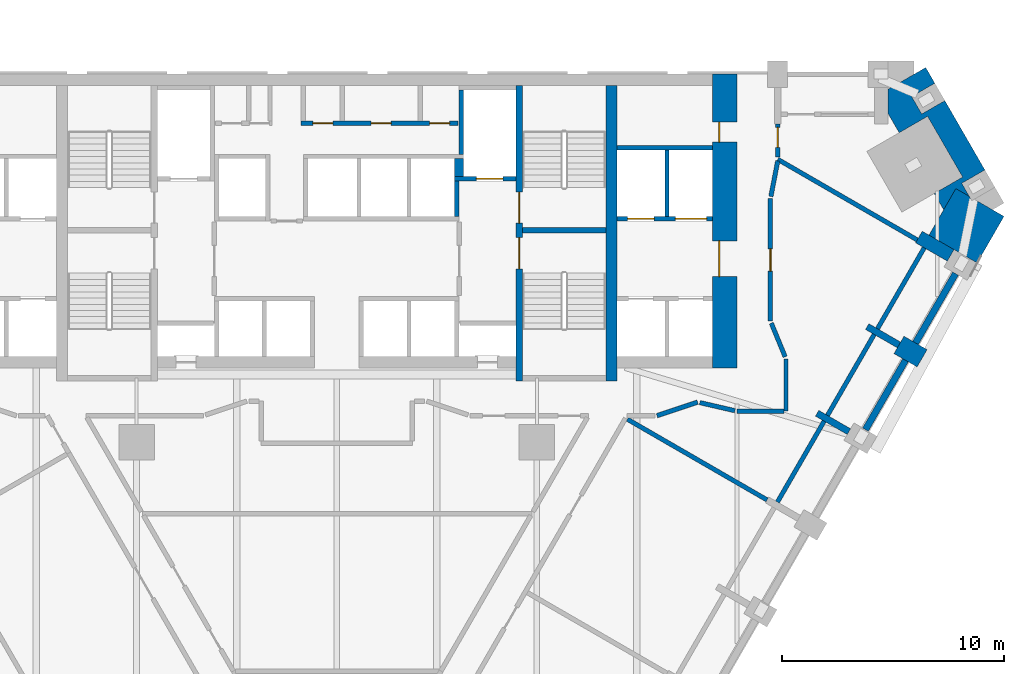
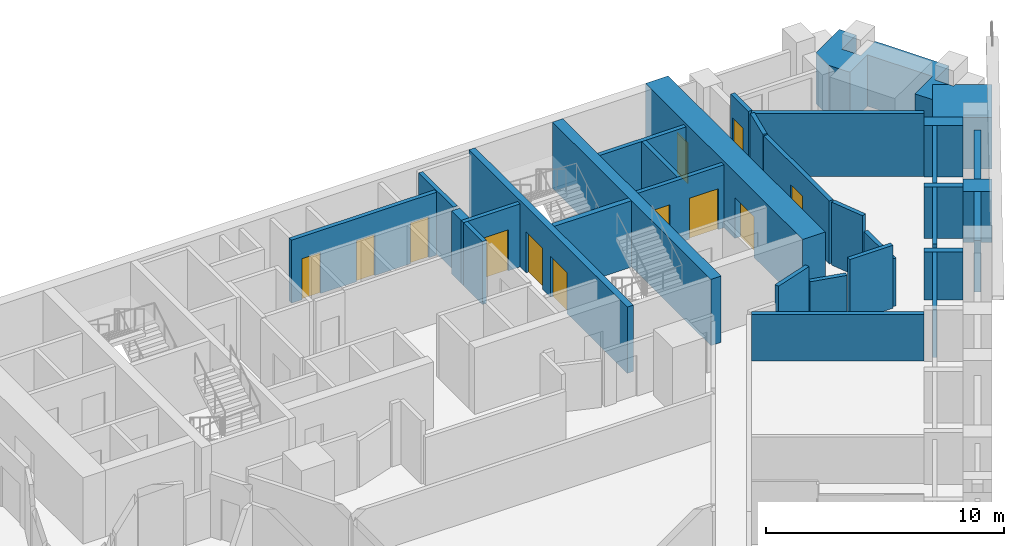
# One storey, part 8 of 11: 33 walls, 12 doors, 12 openings.
"""IFC4 building model written with IfcOpenShell, lengths in metres."""

import ifcopenshell
import ifcopenshell.guid

model = None  # the IFC model being written
_history = None  # IfcOwnerHistory: only IFC2X3 demands one
_inside = {}  # id of a spatial element -> (the spatial element, [elements in it])
_under = {}  # id of a project, library or spatial element -> (it, [spatial elements below it])
_declared = {}  # id of a project -> (the project, [libraries it declares])
_typed = {}  # id of a type object -> (the type object, [elements of that type])
_made_of = {}  # id of a material, layer set ... -> (it, [elements and type objects made of it])


def new_model(schema):
    """Start an empty IFC model of exactly this schema.

    Asked for "IFC4X3", IfcOpenShell would pick the latest addendum, in which some entities
    have other attributes; the version numbers below select the first issue.
    IFC2X3 requires an IfcOwnerHistory on every rooted entity: one is made here for all.
    """
    global model, _history
    if schema == "IFC4X3":
        model = ifcopenshell.file(schema_version=(4, 3, 0, 0))
    else:
        model = ifcopenshell.file(schema=schema)
    _inside.clear()
    _under.clear()
    _declared.clear()
    _typed.clear()
    _made_of.clear()
    _history = None
    if model.schema == "IFC2X3":
        org = make("IfcOrganization", Name="unknown")
        user = make(
            "IfcPersonAndOrganization",
            ThePerson=make("IfcPerson", FamilyName="unknown"),
            TheOrganization=org,
        )
        app = make(
            "IfcApplication",
            ApplicationDeveloper=org,
            Version="unknown",
            ApplicationFullName="unknown",
            ApplicationIdentifier="unknown",
        )
        _history = make(
            "IfcOwnerHistory",
            OwningUser=user,
            OwningApplication=app,
            ChangeAction="ADDED",
            CreationDate=0,
        )
    return model


def make(cls, **values):
    """One entity of the class cls with the attributes given. An attribute that is None is left unset."""
    return model.create_entity(
        cls, **{name: value for name, value in values.items() if value is not None}
    )


def rooted(cls, **values):
    """An entity with a GlobalId (a new one), such as an element, a storey or a relation."""
    return make(cls, GlobalId=ifcopenshell.guid.new(), OwnerHistory=_history, **values)


def si_unit(unit_type, name, prefix=None):
    """IfcSIUnit, for example si_unit("LENGTHUNIT", "METRE", prefix="MILLI")."""
    return make("IfcSIUnit", UnitType=unit_type, Prefix=prefix, Name=name)


def assignment(units):
    """IfcUnitAssignment: the units of a project."""
    return None if units is None else make("IfcUnitAssignment", Units=units)


def point(xyz):
    """IfcCartesianPoint."""
    return None if xyz is None else make("IfcCartesianPoint", Coordinates=xyz)


def direction(xyz):
    """IfcDirection."""
    return None if xyz is None else make("IfcDirection", DirectionRatios=xyz)


def frame(location, z_axis=None, x_axis=None):
    """IfcAxis2Placement3D, a coordinate frame: its origin and axes. An axis left out is left unset."""
    return make(
        "IfcAxis2Placement3D",
        Location=point(location),
        Axis=direction(z_axis),
        RefDirection=direction(x_axis),
    )


def frame_2d(location, x_axis=None):
    """IfcAxis2Placement2D, a coordinate frame in the plane: its origin and x axis."""
    return make(
        "IfcAxis2Placement2D", Location=point(location), RefDirection=direction(x_axis)
    )


def origin():
    """The frame at (0, 0, 0) with its axes left unset."""
    return frame((0.0, 0.0, 0.0))


def place(relative_to, where):
    """IfcLocalPlacement: puts the frame where relative to a parent placement (None: the world)."""
    return make(
        "IfcLocalPlacement", PlacementRelTo=relative_to, RelativePlacement=where
    )


def context(
    kind, dimensions, precision=None, world=None, true_north=None, identifier=None
):
    """IfcGeometricRepresentationContext, for example the 3D "Model" context."""
    return make(
        "IfcGeometricRepresentationContext",
        ContextIdentifier=identifier,
        ContextType=kind,
        CoordinateSpaceDimension=dimensions,
        Precision=precision,
        WorldCoordinateSystem=world,
        TrueNorth=true_north,
    )


def subcontext(parent, identifier, kind, view, scale=None):
    """IfcGeometricRepresentationSubContext, for example "Body" below "Model"."""
    return make(
        "IfcGeometricRepresentationSubContext",
        ContextIdentifier=identifier,
        ContextType=kind,
        ParentContext=parent,
        TargetScale=scale,
        TargetView=view,
    )


def project(units=None, contexts=None):
    """IfcProject with its units and contexts."""
    return rooted(
        "IfcProject",
        Name="project",
        RepresentationContexts=contexts,
        UnitsInContext=assignment(units),
    )


def spatial(cls, under=None, at=None, **own):
    """A site, building, storey or space (cls), placed at a placement, below another one or the project."""
    s = rooted(cls, ObjectPlacement=at, **own)
    if under is not None:
        _under.setdefault(under.id(), (under, []))[1].append(s)
    return s


def polyline(points):
    """IfcPolyline through the points."""
    return make("IfcPolyline", Points=[point(p) for p in points])


def profile(cls, at=None, kind="AREA", **sizes):
    """A parametric profile (cls). Its sizes go by their IFC names, for example OverallWidth=200.0."""
    return make(cls, ProfileType=kind, Position=at, **sizes)


def rectangle(**sizes):
    """IfcRectangleProfileDef."""
    return profile("IfcRectangleProfileDef", **sizes)


def outline(outer, holes=None, kind="AREA"):
    """IfcArbitraryClosedProfileDef: a profile drawn as a closed curve; with holes, ...WithVoids."""
    if holes is None:
        return make("IfcArbitraryClosedProfileDef", ProfileType=kind, OuterCurve=outer)
    return make(
        "IfcArbitraryProfileDefWithVoids",
        ProfileType=kind,
        OuterCurve=outer,
        InnerCurves=holes,
    )


def extrude(swept, where, along, depth):
    """IfcExtrudedAreaSolid: the profile swept, set in the frame where, extruded along a direction by depth."""
    return make(
        "IfcExtrudedAreaSolid",
        SweptArea=swept,
        Position=where,
        ExtrudedDirection=direction(along),
        Depth=depth,
    )


def shape(context_of_items, identifier, shape_type, items):
    """IfcShapeRepresentation: the items that make up one representation, for example the "Body"."""
    return make(
        "IfcShapeRepresentation",
        ContextOfItems=context_of_items,
        RepresentationIdentifier=identifier,
        RepresentationType=shape_type,
        Items=items,
    )


def material(Name=None, Category=None):
    """IfcMaterial."""
    return make("IfcMaterial", Name=Name, Category=Category)


def layer(
    of_material, thickness, ventilated=None, Name=None, Category=None, Priority=None
):
    """IfcMaterialLayer: one layer of a wall or slab, of a material (None: an air gap)."""
    return make(
        "IfcMaterialLayer",
        Material=of_material,
        LayerThickness=thickness,
        IsVentilated=ventilated,
        Name=Name,
        Category=Category,
        Priority=Priority,
    )


def layer_set(layers, Name=None):
    """IfcMaterialLayerSet."""
    return make("IfcMaterialLayerSet", MaterialLayers=layers, LayerSetName=Name)


def made_of(thing, what):
    """Note that an element or type object is made of a material, layer set ...; save() writes the relation."""
    if what is not None:
        _made_of.setdefault(what.id(), (what, []))[1].append(thing)
    return thing


def type_object(cls, material=None, **own):
    """A type object (cls), such as IfcWallType, which elements share."""
    return made_of(rooted(cls, **own), material)


def element(
    cls,
    number,
    at=None,
    inside=None,
    cuts=None,
    type_object=None,
    material=None,
    context=None,
    identifier="Body",
    shape_type=None,
    held_by="IfcProductDefinitionShape",
    body=None,
    shapes=None,
    **own,
):
    """One element of the class cls, such as IfcWall. Its Tag is "e" and its number.

    at: its placement. inside: the storey or other place that contains it. cuts: it is an
    opening in that element (IfcRelVoidsElement). A single representation is given by context,
    identifier, shape_type and body (its items); several are given by shapes. held_by: the class
    of the entity that holds the representations. save() writes the other relations.
    """
    e = rooted(cls, Tag="e%d" % number, ObjectPlacement=at, **own)
    if body is not None:
        shapes = [shape(context, identifier, shape_type, body)]
    if shapes is not None:
        e.Representation = make(held_by, Representations=shapes)
    if inside is not None:
        _inside.setdefault(inside.id(), (inside, []))[1].append(e)
    if cuts is not None:
        rooted(
            "IfcRelVoidsElement", RelatingBuildingElement=cuts, RelatedOpeningElement=e
        )
    if type_object is not None:
        _typed.setdefault(type_object.id(), (type_object, []))[1].append(e)
    return made_of(e, material)


def fill(opening, filler):
    """IfcRelFillsElement: the door or window that sits in an opening."""
    return rooted(
        "IfcRelFillsElement",
        RelatingOpeningElement=opening,
        RelatedBuildingElement=filler,
    )


def aggregate(whole, parts):
    """IfcRelAggregates: a whole, such as a stair, and the parts it consists of."""
    return rooted("IfcRelAggregates", RelatingObject=whole, RelatedObjects=parts)


def save(model, path):
    """Write the relations noted so far, then the file.

    IfcRelAggregates (storeys below a building ...), IfcRelContainedInSpatialStructure (elements
    in a storey), IfcRelDefinesByType, IfcRelAssociatesMaterial and IfcRelDeclares: one each for
    every whole, place, type object, material and project.
    """
    for whole, parts in _under.values():
        aggregate(whole, parts)
    for where, things in _inside.values():
        rooted(
            "IfcRelContainedInSpatialStructure",
            RelatedElements=things,
            RelatingStructure=where,
        )
    for kind, things in _typed.values():
        rooted("IfcRelDefinesByType", RelatedObjects=things, RelatingType=kind)
    for what, things in _made_of.values():
        rooted("IfcRelAssociatesMaterial", RelatedObjects=things, RelatingMaterial=what)
    for by, libraries in _declared.values():
        rooted("IfcRelDeclares", RelatingContext=by, RelatedDefinitions=libraries)
    model.write(path)


model = new_model("IFC4")

# Units and contexts
model_context = context("Model", 3, precision=1e-05, world=origin(), true_north=direction((0.0, 1.0)))
body_context = subcontext(model_context, "Body", "Model", "MODEL_VIEW")
ifc_project = project(units=[si_unit("LENGTHUNIT", "METRE"), si_unit("AREAUNIT", "SQUARE_METRE"), si_unit("VOLUMEUNIT", "CUBIC_METRE"), si_unit("PLANEANGLEUNIT", "RADIAN"), si_unit("MASSUNIT", "GRAM", prefix="KILO")], contexts=[model_context])

# Site, building, storey
site_placement = place(None, origin())
site = spatial("IfcSite", under=ifc_project, at=site_placement, CompositionType="ELEMENT")
building_placement = place(site_placement, origin())
building = spatial("IfcBuilding", under=site, at=building_placement, Name="Calabash Gate Tower", CompositionType="ELEMENT")
storey_placement = place(building_placement, frame((0.0, 0.0, 73.199951171875)))
storey = spatial("IfcBuildingStorey", under=building, at=storey_placement, Name="L14", CompositionType="ELEMENT", Elevation=73.199951171875)

# Walls
ifc_material_1 = material(Name="Terracotta brick masonry, exposed face", Category="masonry")
ifc_layer_1 = layer(ifc_material_1, 2.5)
ifc_layer_set_1 = layer_set([ifc_layer_1], Name="Brick corner mass wall 2500")
wall_type_1 = type_object("IfcWallType", Name="Brick corner mass wall 2500", PredefinedType="SOLIDWALL", material=ifc_layer_set_1)
wall_1_placement = place(storey_placement, origin())
element("IfcWall", 1, at=wall_1_placement, inside=storey, type_object=wall_type_1, Name="Brick corner pier S03 3a", PredefinedType="SOLIDWALL", context=body_context, shape_type="SweptSolid", body=[
    extrude(outline(polyline([(30.000732421875, 12.657958984375), (28.662353515625, 13.4306640625), (28.552490234375, 13.3671875), (28.442626953125, 13.5576171875), (27.835693359375, 13.907958984375), (26.6279296875, 11.815673828125), (28.79296875, 10.565673828125), (30.000732421875, 12.657958984375)])), origin(), (0.0, 0.0, 1.0), 2.630126953125),
])
wall_2_placement = place(storey_placement, origin())
element("IfcWall", 2, at=wall_2_placement, inside=storey, type_object=wall_type_1, Name="Brick corner pier S03 3bb", PredefinedType="SOLIDWALL", context=body_context, shape_type="SweptSolid", body=[
    extrude(outline(polyline([(25.852294921875, 18.043701171875), (26.891357421875, 18.6435546875), (26.482177734375, 19.3525390625), (24.77783203125, 18.36865234375), (24.77783203125, 17.30419921875), (25.2890625, 16.419189453125), (26.564453125, 17.155517578125), (28.139404296875, 14.427490234375), (26.864013671875, 13.691162109375), (27.287353515625, 12.957763671875), (27.835693359375, 13.907958984375), (28.442626953125, 13.5576171875), (28.102294921875, 14.146728515625), (29.141357421875, 14.74658203125), (27.34130859375, 17.8642578125), (26.302490234375, 17.264404296875), (25.852294921875, 18.043701171875)])), origin(), (0.0, 0.0, 1.0), 2.630126953125),
])
ifc_material_2 = material(Name="Terracotta brick masonry, exposed face", Category="masonry")
ifc_layer_2 = layer(ifc_material_2, 1.199951171875)
ifc_layer_set_2 = layer_set([ifc_layer_2], Name="Brick end wall 1200")
wall_type_2 = type_object("IfcWallType", Name="Brick end wall 1200", PredefinedType="SOLIDWALL", material=ifc_layer_set_2)
wall_3_placement = place(storey_placement, frame((25.27880859375, 6.87890625, 0.0), z_axis=(0.0, 0.0, 1.0), x_axis=(0.865955154139, -0.50012165622, 0.0)))
element("IfcWall", 3, at=wall_3_placement, inside=storey, type_object=wall_type_2, Name="Brick pier S03 SE2.9", PredefinedType="SOLIDWALL", context=body_context, shape_type="SweptSolid", body=[
    extrude(rectangle(XDim=1.199951171875, YDim=0.89990234375, at=frame_2d((0.60009765625, 0.0))), origin(), (0.0, 0.0, 1.0), 2.630126953125),
])
ifc_material_3 = material(Name="Terracotta brick masonry, exposed face", Category="masonry")
ifc_layer_3 = layer(ifc_material_3, 0.300048828125)
ifc_layer_set_3 = layer_set([ifc_layer_3], Name="Brick infill panel wall 300")
wall_type_3 = type_object("IfcWallType", Name="Brick infill panel wall 300", PredefinedType="SOLIDWALL", material=ifc_layer_set_3)
for number, where, z_axis, x_axis, name in (
    (4, (23.7734375, 3.071533203125, 0.0), (0.0, 0.0, 1.0), (0.499961193289, 0.866047807691, 0.0), "Brick panel S03 SE2.9"),
    (5, (26.0234375, 6.968505859375, 0.0), (0.0, 0.0, 1.0), (0.499961193289, 0.866047807691, 0.0), "Brick panel S03 SE2.10"),
):
    element("IfcWall", number, at=place(storey_placement, frame(where, z_axis=z_axis, x_axis=x_axis)), inside=storey, type_object=wall_type_3, Name=name, PredefinedType="SOLIDWALL", context=body_context, shape_type="SweptSolid", body=[
        extrude(rectangle(XDim=3.599853515625, YDim=0.300048828125, at=frame_2d((1.7998046875, 0.0))), origin(), (0.0, 0.0, 1.0), 2.630126953125),
    ])
ifc_material_4 = material(Name="Terracotta brick masonry, exposed face", Category="masonry")
ifc_layer_4 = layer(ifc_material_4, 0.300048828125)
ifc_layer_set_4 = layer_set([ifc_layer_4], Name="Brick loggia cheek wall 300")
wall_type_4 = type_object("IfcWallType", Name="Brick loggia cheek wall 300", PredefinedType="SOLIDWALL", material=ifc_layer_set_4)
wall_4_placement = place(storey_placement, frame((21.599853515625, 3.806884765625, 0.0), z_axis=(0.0, 0.0, 1.0), x_axis=(0.865966208357, -0.500102515474, 0.0)))
element("IfcWall", 6, at=wall_4_placement, inside=storey, type_object=wall_type_4, Name="Loggia cheek S03 SE2.8", PredefinedType="SOLIDWALL", context=body_context, shape_type="SweptSolid", body=[
    extrude(rectangle(XDim=1.649658203125, YDim=0.300048828125, at=frame_2d((0.82470703125, 0.0))), origin(), (0.0, 0.0, 1.0), 2.4501953125),
])
wall_5_placement = place(storey_placement, frame((23.849853515625, 7.703857421875, 0.0), z_axis=(0.0, 0.0, 1.0), x_axis=(0.866040211805, -0.499974350878, 0.0)))
element("IfcWall", 7, at=wall_5_placement, inside=storey, type_object=wall_type_4, Name="Loggia cheek S03 SE2.9", PredefinedType="SOLIDWALL", context=body_context, shape_type="SweptSolid", body=[
    extrude(rectangle(XDim=1.64990234375, YDim=0.300048828125, at=frame_2d((0.824951171875, 0.0))), origin(), (0.0, 0.0, 1.0), 2.650146484375),
])
wall_6_placement = place(storey_placement, frame((27.603759765625, 10.906005859375, 0.0), z_axis=(0.0, 0.0, 1.0), x_axis=(-0.866040211805, 0.499974350878, 0.0)))
element("IfcWall", 8, at=wall_6_placement, inside=storey, type_object=wall_type_4, Name="Loggia cheek S03 SE2.10", PredefinedType="SOLIDWALL", context=body_context, shape_type="SweptSolid", body=[
    extrude(rectangle(XDim=1.64990234375, YDim=0.60009765625, at=frame_2d((0.824951171875, 0.0))), origin(), (0.0, 0.0, 1.0), 2.650146484375),
])

# Wall, openings, doors
ifc_material_5 = material(Name="Concrete C80/95", Category="concrete")
ifc_layer_5 = layer(ifc_material_5, 1.10009765625)
ifc_layer_set_5 = layer_set([ifc_layer_5], Name="Core wall 1100 Concrete C80/95")
wall_type_5 = type_object("IfcWallType", Name="Core wall 1100 Concrete C80/95", PredefinedType="SHEAR", material=ifc_layer_set_5)
wall_7_placement = place(storey_placement, frame((17.449951171875, 5.8525390625, 0.0), z_axis=(0.0, 0.0, 1.0), x_axis=(0.0, 1.0, 0.0)))
wall_7 = element("IfcWall", 9, at=wall_7_placement, inside=storey, type_object=wall_type_5, Name="Core wall Z1-ENDE L14", PredefinedType="SHEAR", context=body_context, shape_type="SweptSolid", body=[
    extrude(rectangle(XDim=13.199951171875, YDim=1.10009765625, at=frame_2d((6.60009765625, 0.0))), origin(), (0.0, 0.0, 1.0), 3.400146484375),
])
opening_1_placement = place(wall_7_placement, frame((4.10009765625, 0.0, 0.0)))
opening_1 = element("IfcOpeningElement", 10, at=opening_1_placement, cuts=wall_7, Name="Opening H3-002", PredefinedType="OPENING", context=body_context, shape_type="SweptSolid", body=[
    extrude(rectangle(XDim=1.60009765625, YDim=2.10009765625, at=frame_2d((0.800048828125, 1.050048828125))), frame((0.0, 0.56005859375, 0.0), z_axis=(0.0, -1.0, 0.0), x_axis=(1.0, 0.0, 0.0)), (0.0, 0.0, 1.0), 1.1201171875),
])
opening_2_placement = place(wall_7_placement, frame((10.14990234375, 0.0, 0.0)))
opening_2 = element("IfcOpeningElement", 11, at=opening_2_placement, cuts=wall_7, Name="Opening H3-001", PredefinedType="OPENING", context=body_context, shape_type="SweptSolid", body=[
    extrude(rectangle(XDim=0.89990234375, YDim=2.10009765625, at=frame_2d((0.449951171875, 1.050048828125))), frame((0.0, 0.56005859375, 0.0), z_axis=(0.0, -1.0, 0.0), x_axis=(1.0, 0.0, 0.0)), (0.0, 0.0, 1.0), 1.1201171875),
])
ifc_material_6 = material(Name="Steel fire door set with fire-resisting glazing", Category="steel")
door_type_1 = type_object("IfcDoorType", Name="Double fire door D08 1600x2100 FD60", OperationType="DOUBLE_DOOR_SINGLE_SWING", PredefinedType="DOOR", material=ifc_material_6)
door_1_placement = place(opening_1_placement, origin())
door_1 = element("IfcDoor", 12, at=door_1_placement, inside=storey, type_object=door_type_1, Name="Low-rise Lift Lobby E door", OperationType="DOUBLE_DOOR_SINGLE_SWING", OverallHeight=2.10009765625, OverallWidth=1.60009765625, PredefinedType="DOOR", context=body_context, shape_type="SweptSolid", body=[
    extrude(rectangle(XDim=1.60009765625, YDim=2.10009765625, at=frame_2d((0.800048828125, 1.050048828125))), frame((0.0, 0.27490234375, 0.0), z_axis=(0.0, -1.0, 0.0), x_axis=(1.0, 0.0, 0.0)), (0.0, 0.0, 1.0), 0.050048828125),
])
fill(opening_1, door_1)
ifc_material_7 = material(Name="Steel fire door set with fire-resisting glazing", Category="steel")
door_type_2 = type_object("IfcDoorType", Name="Fire door D06 900x2100 FD60", OperationType="NOTDEFINED", PredefinedType="DOOR", material=ifc_material_7)
door_2_placement = place(opening_2_placement, origin())
door_2 = element("IfcDoor", 13, at=door_2_placement, inside=storey, type_object=door_type_2, Name="Hotel Pantry door", OperationType="SINGLE_SWING_LEFT", OverallHeight=2.10009765625, OverallWidth=0.89990234375, PredefinedType="DOOR", context=body_context, shape_type="SweptSolid", body=[
    extrude(rectangle(XDim=0.89990234375, YDim=2.10009765625, at=frame_2d((0.449951171875, 1.050048828125))), frame((0.0, 0.27490234375, 0.0), z_axis=(0.0, -1.0, 0.0), x_axis=(1.0, 0.0, 0.0)), (0.0, 0.0, 1.0), 0.050048828125),
])
fill(opening_2, door_2)

# Wall
ifc_material_8 = material(Name="Concrete C80/95", Category="concrete")
ifc_layer_6 = layer(ifc_material_8, 0.25)
ifc_layer_set_6 = layer_set([ifc_layer_6], Name="Core wall 250 Concrete C80/95")
wall_type_6 = type_object("IfcWallType", Name="Core wall 250 Concrete C80/95", PredefinedType="SHEAR", material=ifc_layer_set_6)
wall_8_placement = place(storey_placement, frame((8.35009765625, 12.027587890625, 0.0), z_axis=(0.0, 0.0, 1.0), x_axis=(1.0, 0.0, 0.0)))
element("IfcWall", 14, at=wall_8_placement, inside=storey, type_object=wall_type_6, Name="Core wall Z1-MIDE L14", PredefinedType="SHEAR", context=body_context, shape_type="SweptSolid", body=[
    extrude(rectangle(XDim=3.75, YDim=0.25, at=frame_2d((1.875, 0.0))), origin(), (0.0, 0.0, 1.0), 3.400146484375),
])

# Wall, openings, doors
ifc_material_9 = material(Name="Concrete C80/95", Category="concrete")
ifc_layer_7 = layer(ifc_material_9, 0.300048828125)
ifc_layer_set_7 = layer_set([ifc_layer_7], Name="Core wall 300 Concrete C80/95")
wall_type_7 = type_object("IfcWallType", Name="Core wall 300 Concrete C80/95", PredefinedType="SHEAR", material=ifc_layer_set_7)
wall_9_placement = place(storey_placement, frame((8.199951171875, 5.252685546875, 0.0), z_axis=(0.0, 0.0, 1.0), x_axis=(0.0, 1.0, 0.0)))
wall_9 = element("IfcWall", 15, at=wall_9_placement, inside=storey, type_object=wall_type_7, Name="Core wall Z1-PARTE L14", PredefinedType="SHEAR", context=body_context, shape_type="SweptSolid", body=[
    extrude(rectangle(XDim=13.2998046875, YDim=0.300048828125, at=frame_2d((6.64990234375, 0.0))), origin(), (0.0, 0.0, 1.0), 3.400146484375),
])
opening_3_placement = place(wall_9_placement, frame((7.10009765625, 0.0, 0.0)))
opening_3 = element("IfcOpeningElement", 16, at=opening_3_placement, cuts=wall_9, Name="Opening H3-017", PredefinedType="OPENING", context=body_context, shape_type="SweptSolid", body=[
    extrude(rectangle(XDim=1.39990234375, YDim=2.10009765625, at=frame_2d((0.699951171875, 1.050048828125))), frame((0.0, 0.159912109375, 0.0), z_axis=(0.0, -1.0, 0.0), x_axis=(1.0, 0.0, 0.0)), (0.0, 0.0, 1.0), 0.320068359375),
])
opening_4_placement = place(wall_9_placement, frame((5.050048828125, 0.0, 0.0)))
opening_4 = element("IfcOpeningElement", 17, at=opening_4_placement, cuts=wall_9, Name="Opening H3-018", PredefinedType="OPENING", context=body_context, shape_type="SweptSolid", body=[
    extrude(rectangle(XDim=1.39990234375, YDim=2.10009765625, at=frame_2d((0.699951171875, 1.050048828125))), frame((0.0, 0.159912109375, 0.0), z_axis=(0.0, -1.0, 0.0), x_axis=(1.0, 0.0, 0.0)), (0.0, 0.0, 1.0), 0.320068359375),
])
ifc_material_10 = material(Name="Steel fire door set with fire-resisting glazing", Category="steel")
door_type_3 = type_object("IfcDoorType", Name="Fire door D05 1400x2100 FD90", OperationType="NOTDEFINED", PredefinedType="DOOR", material=ifc_material_10)
door_3_placement = place(opening_3_placement, origin())
door_3 = element("IfcDoor", 18, at=door_3_placement, inside=storey, type_object=door_type_3, Name="Exit stair door ST3", OperationType="SINGLE_SWING_RIGHT", OverallHeight=2.10009765625, OverallWidth=1.39990234375, PredefinedType="DOOR", context=body_context, shape_type="SweptSolid", body=[
    extrude(rectangle(XDim=1.39990234375, YDim=2.10009765625, at=frame_2d((0.699951171875, 1.050048828125))), frame((0.0, 0.02490234375, 0.0), z_axis=(0.0, -1.0, 0.0), x_axis=(1.0, 0.0, 0.0)), (0.0, 0.0, 1.0), 0.050048828125),
])
fill(opening_3, door_3)
door_4_placement = place(opening_4_placement, origin())
door_4 = element("IfcDoor", 19, at=door_4_placement, inside=storey, type_object=door_type_3, Name="Exit stair door ST4", OperationType="SINGLE_SWING_LEFT", OverallHeight=2.10009765625, OverallWidth=1.39990234375, PredefinedType="DOOR", context=body_context, shape_type="SweptSolid", body=[
    extrude(rectangle(XDim=1.39990234375, YDim=2.10009765625, at=frame_2d((0.699951171875, 1.050048828125))), frame((0.0, 0.02490234375, 0.0), z_axis=(0.0, -1.0, 0.0), x_axis=(1.0, 0.0, 0.0)), (0.0, 0.0, 1.0), 0.050048828125),
])
fill(opening_4, door_4)

# Walls
ifc_material_11 = material(Name="Concrete C80/95", Category="concrete")
ifc_layer_8 = layer(ifc_material_11, 0.5)
ifc_layer_set_8 = layer_set([ifc_layer_8], Name="Core wall 500 Concrete C80/95")
wall_type_8 = type_object("IfcWallType", Name="Core wall 500 Concrete C80/95", PredefinedType="SHEAR", material=ifc_layer_set_8)
wall_10_placement = place(storey_placement, frame((12.35009765625, 5.252685546875, 0.0), z_axis=(0.0, 0.0, 1.0), x_axis=(0.0, 1.0, 0.0)))
element("IfcWall", 20, at=wall_10_placement, inside=storey, type_object=wall_type_8, Name="Core wall Z1-COLE L14", PredefinedType="SHEAR", context=body_context, shape_type="SweptSolid", body=[
    extrude(rectangle(XDim=13.2998046875, YDim=0.5, at=frame_2d((6.64990234375, 0.0))), origin(), (0.0, 0.0, 1.0), 3.400146484375),
])
ifc_material_12 = material(Name="Gypsum board on steel studs, mineral wool", Category="steel")
ifc_layer_9 = layer(ifc_material_12, 0.199951171875)
ifc_layer_set_9 = layer_set([ifc_layer_9], Name="Partition 200 gypsum board EI 60")
wall_type_9 = type_object("IfcWallType", Name="Partition 200 gypsum board EI 60", PredefinedType="PARTITIONING", material=ifc_layer_set_9)
wall_11_placement = place(storey_placement, frame((13.072509765625, 3.5361328125, 0.0), z_axis=(0.0, 0.0, 1.0), x_axis=(0.865929252606, -0.500166501758, 0.0)))
element("IfcWall", 21, at=wall_11_placement, inside=storey, type_object=wall_type_9, Name="Partition", PredefinedType="PARTITIONING", context=body_context, shape_type="SweptSolid", body=[
    extrude(rectangle(XDim=7.24951171875, YDim=0.199951171875, at=frame_2d((3.624755859375, 0.0))), origin(), (0.0, 0.0, 1.0), 2.384033203125),
])
wall_12_placement = place(storey_placement, frame((18.0, 3.8994140625, 0.0), z_axis=(0.0, 0.0, 1.0), x_axis=(0.999999972977, 0.000232477037, 0.0)))
element("IfcWall", 22, at=wall_12_placement, inside=storey, type_object=wall_type_9, Name="Partition", PredefinedType="PARTITIONING", context=body_context, shape_type="SweptSolid", body=[
    extrude(rectangle(XDim=2.100341796875, YDim=0.199951171875, at=frame_2d((1.05029296875, 0.0))), origin(), (0.0, 0.0, 1.0), 3.22998046875),
])
wall_13_placement = place(storey_placement, frame((16.325927734375, 4.28662109375, 0.0), z_axis=(0.0, 0.0, 1.0), x_axis=(0.974302124523, -0.225245133464, 0.0)))
element("IfcWall", 23, at=wall_13_placement, inside=storey, type_object=wall_type_9, Name="Partition", PredefinedType="PARTITIONING", context=body_context, shape_type="SweptSolid", body=[
    extrude(rectangle(XDim=1.6181640625, YDim=0.199951171875, at=frame_2d((0.80908203125, 0.0))), origin(), (0.0, 0.0, 1.0), 2.4501953125),
])
wall_14_placement = place(storey_placement, frame((14.400146484375, 3.699462890625, 0.0), z_axis=(0.0, 0.0, 1.0), x_axis=(0.948657960303, 0.316303769112, 0.0)))
element("IfcWall", 24, at=wall_14_placement, inside=storey, type_object=wall_type_9, Name="Partition", PredefinedType="PARTITIONING", context=body_context, shape_type="SweptSolid", body=[
    extrude(rectangle(XDim=1.92724609375, YDim=0.199951171875, at=frame_2d((0.963623046875, 0.0))), origin(), (0.0, 0.0, 1.0), 3.22998046875),
])
wall_15_placement = place(storey_placement, frame((20.200439453125, 3.89990234375, 0.0), z_axis=(0.0, 0.0, 1.0), x_axis=(0.0, 1.0, 0.0)))
element("IfcWall", 25, at=wall_15_placement, inside=storey, type_object=wall_type_9, Name="Partition", PredefinedType="PARTITIONING", context=body_context, shape_type="SweptSolid", body=[
    extrude(rectangle(XDim=2.352783203125, YDim=0.199951171875, at=frame_2d((1.17626953125, 0.0))), origin(), (0.0, 0.0, 1.0), 2.4501953125),
])
wall_16_placement = place(storey_placement, frame((19.53857421875, 7.860107421875, 0.0), z_axis=(0.0, 0.0, 1.0), x_axis=(0.380749805254, -0.924678098475, 0.0)))
element("IfcWall", 26, at=wall_16_placement, inside=storey, type_object=wall_type_9, Name="Partition", PredefinedType="PARTITIONING", context=body_context, shape_type="SweptSolid", body=[
    extrude(rectangle(XDim=1.63818359375, YDim=0.199951171875, at=frame_2d((0.819091796875, 0.0))), origin(), (0.0, 0.0, 1.0), 3.22998046875),
])

# Wall, opening, door
wall_17_placement = place(storey_placement, frame((19.50048828125, 7.95263671875, 0.0), z_axis=(0.0, 0.0, 1.0), x_axis=(0.0, 1.0, 0.0)))
wall_17 = element("IfcWall", 27, at=wall_17_placement, inside=storey, type_object=wall_type_9, Name="Partition", PredefinedType="PARTITIONING", context=body_context, shape_type="SweptSolid", body=[
    extrude(rectangle(XDim=5.499755859375, YDim=0.199951171875, at=frame_2d((2.75, 0.0))), origin(), (0.0, 0.0, 1.0), 3.22998046875),
])
opening_5_placement = place(wall_17_placement, frame((2.25, 0.0, 0.0)))
opening_5 = element("IfcOpeningElement", 28, at=opening_5_placement, cuts=wall_17, Name="Opening 12-14-022", PredefinedType="OPENING", context=body_context, shape_type="SweptSolid", body=[
    extrude(rectangle(XDim=1.0, YDim=2.10009765625, at=frame_2d((0.5, 1.050048828125))), frame((0.0, 0.10986328125, 0.0), z_axis=(0.0, -1.0, 0.0), x_axis=(1.0, 0.0, 0.0)), (0.0, 0.0, 1.0), 0.219970703125),
])
ifc_material_13 = material(Name="Steel fire door set with fire-resisting glazing", Category="steel")
door_type_4 = type_object("IfcDoorType", Name="LD2 Meeting room door 1000x2100", OperationType="NOTDEFINED", PredefinedType="DOOR", material=ifc_material_13)
door_5_placement = place(opening_5_placement, origin())
door_5 = element("IfcDoor", 29, at=door_5_placement, inside=storey, type_object=door_type_4, Name="Meeting room door", OperationType="SINGLE_SWING_RIGHT", OverallHeight=2.10009765625, OverallWidth=1.0, PredefinedType="DOOR", context=body_context, shape_type="SweptSolid", body=[
    extrude(rectangle(XDim=1.0, YDim=2.10009765625, at=frame_2d((0.5, 1.050048828125))), frame((0.0, 0.02490234375, 0.0), z_axis=(0.0, -1.0, 0.0), x_axis=(1.0, 0.0, 0.0)), (0.0, 0.0, 1.0), 0.050048828125),
])
fill(opening_5, door_5)

# Walls
wall_18_placement = place(storey_placement, frame((19.519287109375, 13.55078125, 0.0), z_axis=(0.0, 0.0, 1.0), x_axis=(0.18946348331, 0.981887767768, 0.0)))
element("IfcWall", 30, at=wall_18_placement, inside=storey, type_object=wall_type_9, Name="Partition", PredefinedType="PARTITIONING", context=body_context, shape_type="SweptSolid", body=[
    extrude(rectangle(XDim=1.63134765625, YDim=0.199951171875, at=frame_2d((0.815673828125, 0.0))), origin(), (0.0, 0.0, 1.0), 3.22998046875),
])
wall_19_placement = place(storey_placement, frame((19.82861328125, 15.223876953125, 0.0), z_axis=(0.0, 0.0, 1.0), x_axis=(0.865914392541, -0.50019222784, 0.0)))
element("IfcWall", 31, at=wall_19_placement, inside=storey, type_object=wall_type_9, Name="Partition", PredefinedType="PARTITIONING", context=body_context, shape_type="SweptSolid", body=[
    extrude(rectangle(XDim=7.242431640625, YDim=0.199951171875, at=frame_2d((3.62109375, 0.0))), origin(), (0.0, 0.0, 1.0), 3.22998046875),
])

# Wall, opening, door
wall_20_placement = place(storey_placement, frame((19.828369140625, 16.802490234375, 0.0), z_axis=(0.0, 0.0, 1.0), x_axis=(0.000988793188, -0.999999511144, 0.0)))
wall_20 = element("IfcWall", 32, at=wall_20_placement, inside=storey, type_object=wall_type_9, Name="Partition", PredefinedType="PARTITIONING", context=body_context, shape_type="SweptSolid", body=[
    extrude(rectangle(XDim=1.4814453125, YDim=0.199951171875, at=frame_2d((0.74072265625, 0.0))), origin(), (0.0, 0.0, 1.0), 3.22998046875),
])
opening_6_placement = place(wall_20_placement, frame((0.140380859375, 0.0, 0.0)))
opening_6 = element("IfcOpeningElement", 33, at=opening_6_placement, cuts=wall_20, Name="Opening 12-14-023", PredefinedType="OPENING", context=body_context, shape_type="SweptSolid", body=[
    extrude(rectangle(XDim=0.89990234375, YDim=2.10009765625, at=frame_2d((0.449951171875, 1.050048828125))), frame((0.0, 0.10986328125, 0.0), z_axis=(0.0, -1.0, 0.0), x_axis=(1.0, 0.0, 0.0)), (0.0, 0.0, 1.0), 0.219970703125),
])
ifc_material_14 = material(Name="Steel fire door set with fire-resisting glazing", Category="steel")
door_type_5 = type_object("IfcDoorType", Name="SD3 Store door 900x2100", OperationType="NOTDEFINED", PredefinedType="DOOR", material=ifc_material_14)
door_6_placement = place(opening_6_placement, origin())
door_6 = element("IfcDoor", 34, at=door_6_placement, inside=storey, type_object=door_type_5, Name="Store door", OperationType="SINGLE_SWING_LEFT", OverallHeight=2.10009765625, OverallWidth=0.89990234375, PredefinedType="DOOR", context=body_context, shape_type="SweptSolid", body=[
    extrude(rectangle(XDim=0.89990234375, YDim=2.10009765625, at=frame_2d((0.449951171875, 1.050048828125))), frame((0.0, 0.02490234375, 0.0), z_axis=(0.0, -1.0, 0.0), x_axis=(1.0, 0.0, 0.0)), (0.0, 0.0, 1.0), 0.050048828125),
])
fill(opening_6, door_6)

# Wall, openings, doors
ifc_material_15 = material(Name="Concrete C40/50", Category="concrete")
ifc_layer_10 = layer(ifc_material_15, 0.199951171875)
ifc_layer_set_10 = layer_set([ifc_layer_10], Name="Shaft wall 200 Concrete C40/50")
wall_type_10 = type_object("IfcWallType", Name="Shaft wall 200 Concrete C40/50", PredefinedType="SOLIDWALL", material=ifc_layer_set_10)
wall_21_placement = place(storey_placement, frame((12.60009765625, 12.552490234375, 0.0), z_axis=(0.0, 0.0, 1.0), x_axis=(1.0, 0.0, 0.0)))
wall_21 = element("IfcWall", 35, at=wall_21_placement, inside=storey, type_object=wall_type_10, Name="Shaft wall", PredefinedType="SOLIDWALL", context=body_context, shape_type="SweptSolid", body=[
    extrude(rectangle(XDim=4.2998046875, YDim=0.199951171875, at=frame_2d((2.14990234375, 0.0))), origin(), (0.0, 0.0, 1.0), 3.22998046875),
])
opening_7_placement = place(wall_21_placement, frame((0.47509765625, 0.0, 0.0)))
opening_7 = element("IfcOpeningElement", 36, at=opening_7_placement, cuts=wall_21, Name="Opening LD-SL1", PredefinedType="OPENING", context=body_context, shape_type="SweptSolid", body=[
    extrude(rectangle(XDim=1.199951171875, YDim=2.10009765625, at=frame_2d((0.60009765625, 1.050048828125))), frame((0.0, 0.10986328125, 0.0), z_axis=(0.0, -1.0, 0.0), x_axis=(1.0, 0.0, 0.0)), (0.0, 0.0, 1.0), 0.219970703125),
])
opening_8_placement = place(wall_21_placement, frame((2.625, 0.0, 0.0)))
opening_8 = element("IfcOpeningElement", 37, at=opening_8_placement, cuts=wall_21, Name="Opening LD-GL1", PredefinedType="OPENING", context=body_context, shape_type="SweptSolid", body=[
    extrude(rectangle(XDim=1.39990234375, YDim=2.10009765625, at=frame_2d((0.699951171875, 1.050048828125))), frame((0.0, 0.10986328125, 0.0), z_axis=(0.0, -1.0, 0.0), x_axis=(1.0, 0.0, 0.0)), (0.0, 0.0, 1.0), 0.219970703125),
])
ifc_material_16 = material(Name="Stainless steel sliding door leaves", Category="steel")
door_type_6 = type_object("IfcDoorType", Name="Lift landing door LS3 1200x2100 FD90", OperationType="DOUBLE_DOOR_SLIDING", PredefinedType="DOOR", material=ifc_material_16)
door_7_placement = place(opening_7_placement, origin())
door_7 = element("IfcDoor", 38, at=door_7_placement, inside=storey, type_object=door_type_6, Name="Lift landing door SL1", OperationType="DOUBLE_DOOR_SLIDING", OverallHeight=2.10009765625, OverallWidth=1.199951171875, PredefinedType="DOOR", context=body_context, shape_type="SweptSolid", body=[
    extrude(rectangle(XDim=1.199951171875, YDim=2.10009765625, at=frame_2d((0.60009765625, 1.050048828125))), frame((0.0, 0.02490234375, 0.0), z_axis=(0.0, -1.0, 0.0), x_axis=(1.0, 0.0, 0.0)), (0.0, 0.0, 1.0), 0.050048828125),
])
fill(opening_7, door_7)
ifc_material_17 = material(Name="Stainless steel sliding door leaves", Category="steel")
door_type_7 = type_object("IfcDoorType", Name="Lift landing door LS4 1400x2100 FD90", OperationType="DOUBLE_DOOR_SLIDING", PredefinedType="DOOR", material=ifc_material_17)
door_8_placement = place(opening_8_placement, origin())
door_8 = element("IfcDoor", 39, at=door_8_placement, inside=storey, type_object=door_type_7, Name="Lift landing door GL1", OperationType="DOUBLE_DOOR_SLIDING", OverallHeight=2.10009765625, OverallWidth=1.39990234375, PredefinedType="DOOR", context=body_context, shape_type="SweptSolid", body=[
    extrude(rectangle(XDim=1.39990234375, YDim=2.10009765625, at=frame_2d((0.699951171875, 1.050048828125))), frame((0.0, 0.02490234375, 0.0), z_axis=(0.0, -1.0, 0.0), x_axis=(1.0, 0.0, 0.0)), (0.0, 0.0, 1.0), 0.050048828125),
])
fill(opening_8, door_8)

# Walls
wall_22_placement = place(storey_placement, frame((5.39990234375, 12.652587890625, 0.0), z_axis=(0.0, 0.0, 1.0), x_axis=(0.0, 1.0, 0.0)))
element("IfcWall", 40, at=wall_22_placement, inside=storey, type_object=wall_type_10, Name="Shaft wall", PredefinedType="SOLIDWALL", context=body_context, shape_type="SweptSolid", body=[
    extrude(rectangle(XDim=1.60009765625, YDim=0.199951171875, at=frame_2d((0.800048828125, 0.0))), origin(), (0.0, 0.0, 1.0), 3.22998046875),
])
wall_23_placement = place(storey_placement, frame((14.85009765625, 12.652587890625, 0.0), z_axis=(0.0, 0.0, 1.0), x_axis=(0.0, 1.0, 0.0)))
element("IfcWall", 41, at=wall_23_placement, inside=storey, type_object=wall_type_10, Name="Shaft wall", PredefinedType="SOLIDWALL", context=body_context, shape_type="SweptSolid", body=[
    extrude(rectangle(XDim=3.0, YDim=0.199951171875, at=frame_2d((1.5, 0.0))), origin(), (0.0, 0.0, 1.0), 3.22998046875),
])

# Wall, opening, door
wall_24_placement = place(storey_placement, frame((5.300048828125, 14.3525390625, 0.0), z_axis=(0.0, 0.0, 1.0), x_axis=(1.0, 0.0, 0.0)))
wall_24 = element("IfcWall", 42, at=wall_24_placement, inside=storey, type_object=wall_type_10, Name="Shaft wall", PredefinedType="SOLIDWALL", context=body_context, shape_type="SweptSolid", body=[
    extrude(rectangle(XDim=2.75, YDim=0.199951171875, at=frame_2d((1.375, 0.0))), origin(), (0.0, 0.0, 1.0), 3.22998046875),
])
opening_9_placement = place(wall_24_placement, frame((0.97509765625, 0.0, 0.0)))
opening_9 = element("IfcOpeningElement", 43, at=opening_9_placement, cuts=wall_24, Name="Opening LD-FF2", PredefinedType="OPENING", context=body_context, shape_type="SweptSolid", body=[
    extrude(rectangle(XDim=1.199951171875, YDim=2.10009765625, at=frame_2d((0.60009765625, 1.050048828125))), frame((0.0, 0.10986328125, 0.0), z_axis=(0.0, -1.0, 0.0), x_axis=(1.0, 0.0, 0.0)), (0.0, 0.0, 1.0), 0.219970703125),
])
door_9_placement = place(opening_9_placement, origin())
door_9 = element("IfcDoor", 44, at=door_9_placement, inside=storey, type_object=door_type_6, Name="Lift landing door FF2", OperationType="DOUBLE_DOOR_SLIDING", OverallHeight=2.10009765625, OverallWidth=1.199951171875, PredefinedType="DOOR", context=body_context, shape_type="SweptSolid", body=[
    extrude(rectangle(XDim=1.199951171875, YDim=2.10009765625, at=frame_2d((0.60009765625, 1.050048828125))), frame((0.0, 0.02490234375, 0.0), z_axis=(0.0, -1.0, 0.0), x_axis=(1.0, 0.0, 0.0)), (0.0, 0.0, 1.0), 0.050048828125),
])
fill(opening_9, door_9)

# Walls
wall_25_placement = place(storey_placement, frame((5.5, 14.45263671875, 0.0), z_axis=(0.0, 0.0, 1.0), x_axis=(0.0, 1.0, 0.0)))
element("IfcWall", 45, at=wall_25_placement, inside=storey, type_object=wall_type_10, Name="Shaft wall", PredefinedType="SOLIDWALL", context=body_context, shape_type="SweptSolid", body=[
    extrude(rectangle(XDim=0.800048828125, YDim=0.39990234375, at=frame_2d((0.39990234375, 0.0))), origin(), (0.0, 0.0, 1.0), 3.22998046875),
])
wall_26_placement = place(storey_placement, frame((5.60009765625, 15.45263671875, 0.0), z_axis=(0.0, 0.0, 1.0), x_axis=(0.0, 1.0, 0.0)))
element("IfcWall", 46, at=wall_26_placement, inside=storey, type_object=wall_type_10, Name="Shaft wall", PredefinedType="SOLIDWALL", context=body_context, shape_type="SweptSolid", body=[
    extrude(rectangle(XDim=2.89990234375, YDim=0.199951171875, at=frame_2d((1.449951171875, 0.0))), origin(), (0.0, 0.0, 1.0), 3.22998046875),
])
wall_27_placement = place(storey_placement, frame((12.60009765625, 15.752685546875, 0.0), z_axis=(0.0, 0.0, 1.0), x_axis=(1.0, 0.0, 0.0)))
element("IfcWall", 47, at=wall_27_placement, inside=storey, type_object=wall_type_10, Name="Shaft wall", PredefinedType="SOLIDWALL", context=body_context, shape_type="SweptSolid", body=[
    extrude(rectangle(XDim=4.2998046875, YDim=0.199951171875, at=frame_2d((2.14990234375, 0.0))), origin(), (0.0, 0.0, 1.0), 3.22998046875),
])

# Wall, openings, doors
wall_28_placement = place(storey_placement, frame((-1.60009765625, 16.8525390625, 0.0), z_axis=(0.0, 0.0, 1.0), x_axis=(1.0, 0.0, 0.0)))
wall_28 = element("IfcWall", 48, at=wall_28_placement, inside=storey, type_object=wall_type_10, Name="Shaft wall", PredefinedType="SOLIDWALL", context=body_context, shape_type="SweptSolid", body=[
    extrude(rectangle(XDim=7.050048828125, YDim=0.199951171875, at=frame_2d((3.52490234375, 0.0))), origin(), (0.0, 0.0, 1.0), 3.22998046875),
])
opening_10_placement = place(wall_28_placement, frame((0.52490234375, 0.0, 0.0)))
opening_10 = element("IfcOpeningElement", 49, at=opening_10_placement, cuts=wall_28, Name="Opening H3-010", PredefinedType="OPENING", context=body_context, shape_type="SweptSolid", body=[
    extrude(rectangle(XDim=0.89990234375, YDim=2.10009765625, at=frame_2d((0.449951171875, 1.050048828125))), frame((0.0, 0.10986328125, 0.0), z_axis=(0.0, -1.0, 0.0), x_axis=(1.0, 0.0, 0.0)), (0.0, 0.0, 1.0), 0.219970703125),
])
opening_11_placement = place(wall_28_placement, frame((3.14990234375, 0.0, 0.0)))
opening_11 = element("IfcOpeningElement", 50, at=opening_11_placement, cuts=wall_28, Name="Opening H3-011", PredefinedType="OPENING", context=body_context, shape_type="SweptSolid", body=[
    extrude(rectangle(XDim=0.89990234375, YDim=2.10009765625, at=frame_2d((0.449951171875, 1.050048828125))), frame((0.0, 0.10986328125, 0.0), z_axis=(0.0, -1.0, 0.0), x_axis=(1.0, 0.0, 0.0)), (0.0, 0.0, 1.0), 0.219970703125),
])
opening_12_placement = place(wall_28_placement, frame((5.77490234375, 0.0, 0.0)))
opening_12 = element("IfcOpeningElement", 51, at=opening_12_placement, cuts=wall_28, Name="Opening H3-012", PredefinedType="OPENING", context=body_context, shape_type="SweptSolid", body=[
    extrude(rectangle(XDim=0.89990234375, YDim=2.10009765625, at=frame_2d((0.449951171875, 1.050048828125))), frame((0.0, 0.10986328125, 0.0), z_axis=(0.0, -1.0, 0.0), x_axis=(1.0, 0.0, 0.0)), (0.0, 0.0, 1.0), 0.219970703125),
])
door_10_placement = place(opening_10_placement, origin())
door_10 = element("IfcDoor", 52, at=door_10_placement, inside=storey, type_object=door_type_2, Name="Hotel Pantry door", OperationType="SINGLE_SWING_LEFT", OverallHeight=2.10009765625, OverallWidth=0.89990234375, PredefinedType="DOOR", context=body_context, shape_type="SweptSolid", body=[
    extrude(rectangle(XDim=0.89990234375, YDim=2.10009765625, at=frame_2d((0.449951171875, 1.050048828125))), frame((0.0, 0.02490234375, 0.0), z_axis=(0.0, -1.0, 0.0), x_axis=(1.0, 0.0, 0.0)), (0.0, 0.0, 1.0), 0.050048828125),
])
fill(opening_10, door_10)
door_11_placement = place(opening_11_placement, origin())
door_11 = element("IfcDoor", 53, at=door_11_placement, inside=storey, type_object=door_type_2, Name="Luggage Store door", OperationType="SINGLE_SWING_LEFT", OverallHeight=2.10009765625, OverallWidth=0.89990234375, PredefinedType="DOOR", context=body_context, shape_type="SweptSolid", body=[
    extrude(rectangle(XDim=0.89990234375, YDim=2.10009765625, at=frame_2d((0.449951171875, 1.050048828125))), frame((0.0, 0.02490234375, 0.0), z_axis=(0.0, -1.0, 0.0), x_axis=(1.0, 0.0, 0.0)), (0.0, 0.0, 1.0), 0.050048828125),
])
fill(opening_11, door_11)
door_12_placement = place(opening_12_placement, origin())
door_12 = element("IfcDoor", 54, at=door_12_placement, inside=storey, type_object=door_type_2, Name="Comms Room door", OperationType="SINGLE_SWING_RIGHT", OverallHeight=2.10009765625, OverallWidth=0.89990234375, PredefinedType="DOOR", context=body_context, shape_type="SweptSolid", body=[
    extrude(rectangle(XDim=0.89990234375, YDim=2.10009765625, at=frame_2d((0.449951171875, 1.050048828125))), frame((0.0, 0.02490234375, 0.0), z_axis=(0.0, -1.0, 0.0), x_axis=(1.0, 0.0, 0.0)), (0.0, 0.0, 1.0), 0.050048828125),
])
fill(opening_12, door_12)

# Walls
ifc_material_18 = material(Name="Aluminium framed window wall with insulated spandrel", Category="aluminium")
ifc_layer_11 = layer(ifc_material_18, 0.199951171875)
ifc_layer_set_11 = layer_set([ifc_layer_11], Name="Window wall 200")
wall_type_11 = type_object("IfcWallType", Name="Window wall 200", PredefinedType="ELEMENTEDWALL", material=ifc_layer_set_11)
wall_29_placement = place(storey_placement, frame((19.814453125, -0.185546875, 0.0), z_axis=(0.0, 0.0, 1.0), x_axis=(0.500002543286, 0.866023935413, 0.0)))
element("IfcWall", 55, at=wall_29_placement, inside=storey, type_object=wall_type_11, Name="Window wall S03 SE2.8", PredefinedType="ELEMENTEDWALL", context=body_context, shape_type="SweptSolid", body=[
    extrude(rectangle(XDim=4.2001953125, YDim=0.199951171875, at=frame_2d((2.10009765625, 0.0))), origin(), (0.0, 0.0, 1.0), 2.4501953125),
])
for number, where, z_axis, x_axis, name in (
    (56, (22.064453125, 3.711669921875, 0.0), (0.0, 0.0, 1.0), (0.500027713859, 0.866009402589, 0.0), "Window wall S03 SE2.9"),
    (57, (24.314453125, 7.60888671875, 0.0), (0.0, 0.0, 1.0), (0.500027713859, 0.866009402589, 0.0), "Window wall S03 SE2.10"),
):
    element("IfcWall", number, at=place(storey_placement, frame(where, z_axis=z_axis, x_axis=x_axis)), inside=storey, type_object=wall_type_11, Name=name, PredefinedType="ELEMENTEDWALL", context=body_context, shape_type="SweptSolid", body=[
        extrude(rectangle(XDim=4.199951171875, YDim=0.199951171875, at=frame_2d((2.10009765625, 0.0))), origin(), (0.0, 0.0, 1.0), 2.650146484375),
    ])

save(model, "model.ifc")
